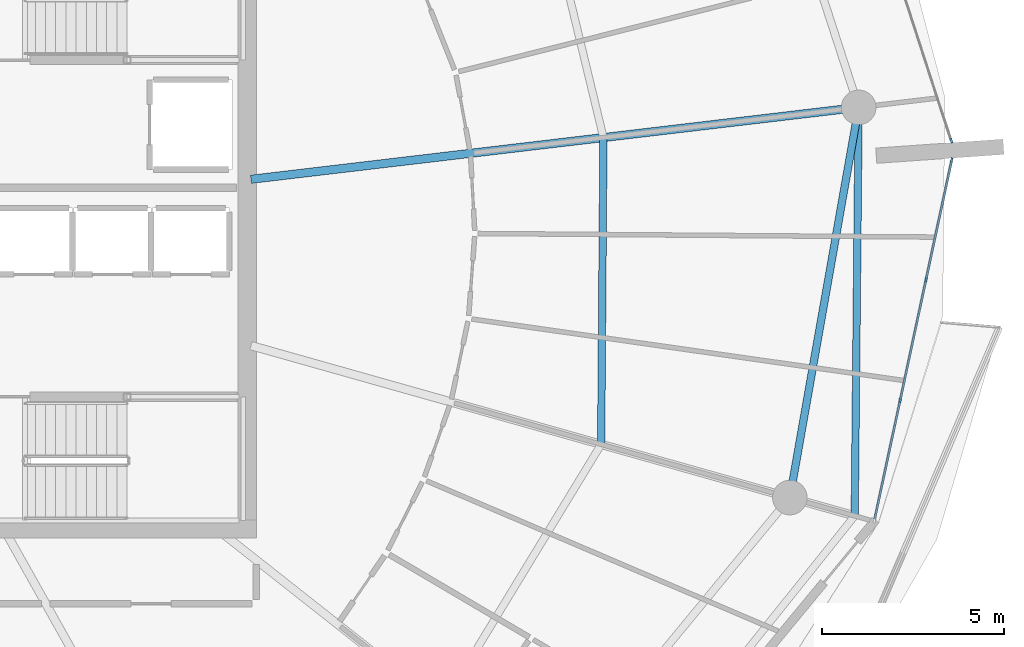
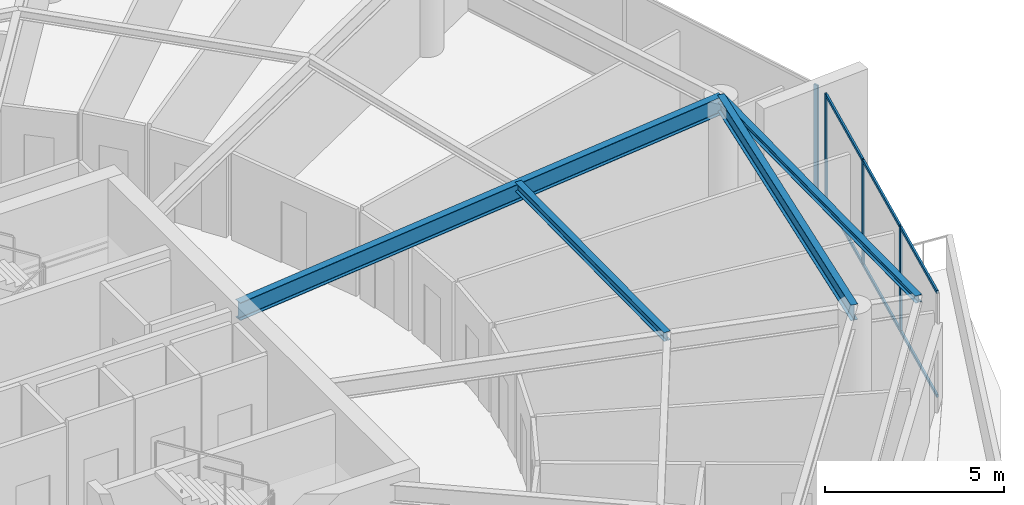
# One storey, part 11 of 30: 10 members, 4 beams, 2 elements without a shape of their own.
"""IFC4 building model written with IfcOpenShell, lengths in metres."""

from ifc_helpers import new_model, si_unit, direction, frame, origin, origin_2d, place, context, subcontext, project, spatial, rectangle, i_section, extrude, material, layer, layer_set, material_profile, profile_set, type_object, element, aggregate, save


model = new_model("IFC4")

# Units and contexts
model_context = context("Model", 3, precision=1e-05, world=origin(), true_north=direction((0.0, 1.0)))
body_context = subcontext(model_context, "Body", "Model", "MODEL_VIEW")
ifc_project = project(units=[si_unit("LENGTHUNIT", "METRE"), si_unit("AREAUNIT", "SQUARE_METRE"), si_unit("VOLUMEUNIT", "CUBIC_METRE"), si_unit("PLANEANGLEUNIT", "RADIAN"), si_unit("MASSUNIT", "GRAM", prefix="KILO")], contexts=[model_context])

# Site, building, storey
site_placement = place(None, origin())
site = spatial("IfcSite", under=ifc_project, at=site_placement, CompositionType="ELEMENT")
building_placement = place(site_placement, origin())
building = spatial("IfcBuilding", under=site, at=building_placement, Name="Kazma Halo Residences", CompositionType="ELEMENT")
storey_placement = place(building_placement, frame((0.0, 0.0, 290.60009765625)))
storey = spatial("IfcBuildingStorey", under=building, at=storey_placement, Name="L73", CompositionType="ELEMENT", Elevation=290.60009765625)

# Beams
ifc_material_1 = material(Name="Steel S355", Category="steel")
ifc_material_profile_1 = material_profile(ifc_material_1, i_section(OverallWidth=0.201904296875, OverallDepth=0.2470703125, WebThickness=0.00732421875, FlangeThickness=0.010986328125, FilletRadius=0.011962890625, at=origin_2d()), Name="W250x49.1")
ifc_profile_set_1 = profile_set([ifc_material_profile_1], Name="Steel S355")
beam_type_1 = type_object("IfcBeamType", Name="BM-BAL-CANT", PredefinedType="BEAM", material=ifc_profile_set_1)
beam_1_placement = place(storey_placement, frame((75.971435546875, 34.111083984375, 3.46630859375), z_axis=(0.009645503464, 0.999953481049, 0.0), x_axis=(-0.999953481049, 0.009645503464, 0.0)))
element("IfcBeam", 1, at=beam_1_placement, inside=storey, type_object=beam_type_1, Name="L73 wave-balcony tie beam 15", PredefinedType="BEAM", context=body_context, shape_type="SweptSolid", body=[
    extrude(i_section(OverallWidth=0.201904296875, OverallDepth=0.2470703125, WebThickness=0.00732421875, FlangeThickness=0.010986328125, FilletRadius=0.011962890625, at=origin_2d()), origin(), (0.0, 0.0, 1.0), 11.212890625),
])
ifc_material_profile_2 = material_profile(ifc_material_1, i_section(OverallWidth=0.22802734375, OverallDepth=0.60791015625, WebThickness=0.01123046875, FlangeThickness=0.017333984375, FilletRadius=0.01806640625, at=origin_2d()), Name="W610x113")
ifc_profile_set_2 = profile_set([ifc_material_profile_2], Name="Steel S355")
beam_type_2 = type_object("IfcBeamType", Name="BM-RAD-W610", PredefinedType="BEAM", material=ifc_profile_set_2)
beam_2_placement = place(storey_placement, frame((59.39990234375, 43.349365234375, 3.285888671875), z_axis=(0.993068804541, 0.117534460678, 0.0), x_axis=(-0.117534460678, 0.993068804541, 0.0)))
element("IfcBeam", 2, at=beam_2_placement, inside=storey, type_object=beam_type_2, Name="L73 radial floor beam 16", PredefinedType="BEAM", context=body_context, shape_type="SweptSolid", body=[
    extrude(i_section(OverallWidth=0.22802734375, OverallDepth=0.60791015625, WebThickness=0.01123046875, FlangeThickness=0.017333984375, FilletRadius=0.01806640625, at=origin_2d()), origin(), (0.0, 0.0, 1.0), 16.796142578125),
])
ifc_material_profile_3 = material_profile(ifc_material_1, i_section(OverallWidth=0.202880859375, OverallDepth=0.302978515625, WebThickness=0.007568359375, FlangeThickness=0.01318359375, FilletRadius=0.013916015625, at=origin_2d()), Name="W310x60")
ifc_profile_set_3 = profile_set([ifc_material_profile_3], Name="Steel S355")
beam_type_3 = type_object("IfcBeamType", Name="BM-SEC-W310A", PredefinedType="JOIST", material=ifc_profile_set_3)
beam_3_placement = place(storey_placement, frame((69.011474609375, 36.07421875, 3.4384765625), z_axis=(0.007451444375, 0.999972237603, 0.0), x_axis=(-0.999972237603, 0.007451444375, 0.0)))
element("IfcBeam", 3, at=beam_3_placement, inside=storey, type_object=beam_type_3, Name="L73 circumferential floor joist 15", PredefinedType="JOIST", context=body_context, shape_type="SweptSolid", body=[
    extrude(i_section(OverallWidth=0.202880859375, OverallDepth=0.302978515625, WebThickness=0.007568359375, FlangeThickness=0.01318359375, FilletRadius=0.013916015625, at=origin_2d()), origin(), (0.0, 0.0, 1.0), 8.42041015625),
])
ifc_material_profile_4 = material_profile(ifc_material_1, i_section(OverallWidth=0.208984375, OverallDepth=0.532958984375, WebThickness=0.01025390625, FlangeThickness=0.015625, FilletRadius=0.01611328125, at=origin_2d()), Name="W530x92")
ifc_profile_set_4 = profile_set([ifc_material_profile_4], Name="Steel S355")
beam_type_4 = type_object("IfcBeamType", Name="BM-SPN-W530", PredefinedType="BEAM", material=ifc_profile_set_4)
beam_4_placement = place(storey_placement, frame((74.19091796875, 34.61328125, 3.323486328125), z_axis=(0.173663672311, 0.984805020763, 0.0), x_axis=(-0.984805020763, 0.173663672311, 0.0)))
element("IfcBeam", 4, at=beam_4_placement, inside=storey, type_object=beam_type_4, Name="L73 perimeter ring beam 15", PredefinedType="BEAM", context=body_context, shape_type="SweptSolid", body=[
    extrude(i_section(OverallWidth=0.208984375, OverallDepth=0.532958984375, WebThickness=0.01025390625, FlangeThickness=0.015625, FilletRadius=0.01611328125, at=origin_2d()), origin(), (0.0, 0.0, 1.0), 10.87548828125),
])

# Curtain wall, members
ifc_material_2 = material(Name="Aluminium AW-6063 T6 and Triple-Silver Low-E Glass", Category="aluminium")
ifc_layer = layer(ifc_material_2, 0.139892578125)
ifc_layer_set = layer_set([ifc_layer], Name="Aluminium AW-6063 T6 and Triple-Silver Low-E Glass")
curtain_wall_type = type_object("IfcCurtainWallType", Name="CW-SYS-5", PredefinedType="NOTDEFINED", material=ifc_layer_set)
curtain_wall_1_placement = place(storey_placement, origin())
curtain_wall_1 = element("IfcCurtainWall", 5, at=curtain_wall_1_placement, inside=storey, type_object=curtain_wall_type, Name="L73 unitised curtain wall B15", PredefinedType="NOTDEFINED")
ifc_material_3 = material(Name="Aluminium AW-6063 T6", Category="aluminium")
ifc_material_profile_5 = material_profile(ifc_material_3, rectangle(XDim=0.06005859375, YDim=0.139892578125, at=origin_2d()), Name="CWM-60x140")
ifc_profile_set_5 = profile_set([ifc_material_profile_5], Name="Aluminium AW-6063 T6")
member_type_1 = type_object("IfcMemberType", Name="CW-SYS-5-MUL", PredefinedType="MULLION", material=ifc_profile_set_5)
member_1_placement = place(storey_placement, frame((77.218994140625, 37.2734375, 0.0), z_axis=(0.0, 0.0, 1.0), x_axis=(-0.97777491373, 0.209657382603, 0.0)))
member_1 = element("IfcMember", 6, at=member_1_placement, type_object=member_type_1, Name="CWS-5 mullion 2", PredefinedType="MULLION", context=body_context, shape_type="SweptSolid", body=[
    extrude(rectangle(XDim=0.06005859375, YDim=0.139892578125, at=origin_2d()), origin(), (0.0, 0.0, 1.0), 3.58984375),
])
member_2_placement = place(storey_placement, frame((77.9296875, 40.587158203125, 0.0), z_axis=(0.0, 0.0, 1.0), x_axis=(-0.97777491373, 0.209657382603, 0.0)))
member_2 = element("IfcMember", 7, at=member_2_placement, type_object=member_type_1, Name="CWS-5 mullion 3", PredefinedType="MULLION", context=body_context, shape_type="SweptSolid", body=[
    extrude(rectangle(XDim=0.06005859375, YDim=0.139892578125, at=origin_2d()), origin(), (0.0, 0.0, 1.0), 3.58984375),
])
member_3_placement = place(storey_placement, frame((78.6337890625, 43.87158203125, 0.0), z_axis=(0.0, 0.0, 1.0), x_axis=(-0.97777491373, 0.209657382603, 0.0)))
member_3 = element("IfcMember", 8, at=member_3_placement, type_object=member_type_1, Name="CWS-5 mullion 4", PredefinedType="MULLION", context=body_context, shape_type="SweptSolid", body=[
    extrude(rectangle(XDim=0.06005859375, YDim=0.139892578125, at=origin_2d()), origin(), (0.0, 0.0, 1.0), 3.58984375),
])

# Curtain wall, member
curtain_wall_2_placement = place(storey_placement, origin())
curtain_wall_2 = element("IfcCurtainWall", 9, at=curtain_wall_2_placement, inside=storey, type_object=curtain_wall_type, Name="L73 unitised curtain wall B16", PredefinedType="NOTDEFINED")
member_4_placement = place(storey_placement, frame((78.622802734375, 44.412353515625, 0.0), z_axis=(0.0, 0.0, 1.0), x_axis=(-0.951058464359, -0.309010998786, 0.0)))
member_4 = element("IfcMember", 10, at=member_4_placement, type_object=member_type_1, Name="CWS-5 mullion 1", PredefinedType="MULLION", context=body_context, shape_type="SweptSolid", body=[
    extrude(rectangle(XDim=0.06005859375, YDim=0.139892578125, at=origin_2d()), origin(), (0.0, 0.0, 1.0), 3.58984375),
])
aggregate(curtain_wall_2, [member_4])

# Member
ifc_material_profile_6 = material_profile(ifc_material_3, rectangle(XDim=0.06005859375, YDim=0.10498046875, at=origin_2d()), Name="CWT-60x105")
ifc_profile_set_6 = profile_set([ifc_material_profile_6], Name="Aluminium AW-6063 T6")
member_type_2 = type_object("IfcMemberType", Name="CW-SYS-5-TRN", PredefinedType="USERDEFINED", material=ifc_profile_set_6)
member_5_placement = place(storey_placement, frame((76.52099609375, 34.0185546875, 0.02978515625), z_axis=(0.209660493552, 0.977774246666, 0.0), x_axis=(-0.977774246666, 0.209660493552, 0.0)))
member_5 = element("IfcMember", 11, at=member_5_placement, type_object=member_type_2, Name="CWS-5 transom 1.1", ObjectType="TRANSOM", PredefinedType="USERDEFINED", context=body_context, shape_type="SweptSolid", body=[
    extrude(rectangle(XDim=0.06005859375, YDim=0.10498046875, at=origin_2d()), origin(), (0.0, 0.0, 1.0), 3.298828125),
])

member_6_placement = place(storey_placement, frame((76.52099609375, 34.0185546875, 3.559814453125), z_axis=(0.209660493552, 0.977774246666, 0.0), x_axis=(-0.977774246666, 0.209660493552, 0.0)))
member_6 = element("IfcMember", 12, at=member_6_placement, type_object=member_type_2, Name="CWS-5 transom 1.2", ObjectType="TRANSOM", PredefinedType="USERDEFINED", context=body_context, shape_type="SweptSolid", body=[
    extrude(rectangle(XDim=0.06005859375, YDim=0.10498046875, at=origin_2d()), origin(), (0.0, 0.0, 1.0), 3.298828125),
])

member_7_placement = place(storey_placement, frame((77.225341796875, 37.302734375, 0.02978515625), z_axis=(0.209664309019, 0.977773428522, 0.0), x_axis=(-0.977773428522, 0.209664309019, 0.0)))
member_7 = element("IfcMember", 13, at=member_7_placement, type_object=member_type_2, Name="CWS-5 transom 2.1", ObjectType="TRANSOM", PredefinedType="USERDEFINED", context=body_context, shape_type="SweptSolid", body=[
    extrude(rectangle(XDim=0.06005859375, YDim=0.10498046875, at=origin_2d()), origin(), (0.0, 0.0, 1.0), 3.3291015625),
])

member_8_placement = place(storey_placement, frame((77.225341796875, 37.302734375, 3.559814453125), z_axis=(0.209664309019, 0.977773428522, 0.0), x_axis=(-0.977773428522, 0.209664309019, 0.0)))
member_8 = element("IfcMember", 14, at=member_8_placement, type_object=member_type_2, Name="CWS-5 transom 2.2", ObjectType="TRANSOM", PredefinedType="USERDEFINED", context=body_context, shape_type="SweptSolid", body=[
    extrude(rectangle(XDim=0.06005859375, YDim=0.10498046875, at=origin_2d()), origin(), (0.0, 0.0, 1.0), 3.3291015625),
])

member_9_placement = place(storey_placement, frame((77.935791015625, 40.616455078125, 0.02978515625), z_axis=(0.209645323239, 0.977777499457, 0.0), x_axis=(-0.977777499457, 0.209645323239, 0.0)))
member_9 = element("IfcMember", 15, at=member_9_placement, type_object=member_type_2, Name="CWS-5 transom 3.1", ObjectType="TRANSOM", PredefinedType="USERDEFINED", context=body_context, shape_type="SweptSolid", body=[
    extrude(rectangle(XDim=0.06005859375, YDim=0.10498046875, at=origin_2d()), origin(), (0.0, 0.0, 1.0), 3.299072265625),
])

member_10_placement = place(storey_placement, frame((77.935791015625, 40.616455078125, 3.559814453125), z_axis=(0.209645323239, 0.977777499457, 0.0), x_axis=(-0.977777499457, 0.209645323239, 0.0)))
member_10 = element("IfcMember", 16, at=member_10_placement, type_object=member_type_2, Name="CWS-5 transom 3.2", ObjectType="TRANSOM", PredefinedType="USERDEFINED", context=body_context, shape_type="SweptSolid", body=[
    extrude(rectangle(XDim=0.06005859375, YDim=0.10498046875, at=origin_2d()), origin(), (0.0, 0.0, 1.0), 3.299072265625),
])

aggregate(curtain_wall_1, [member_1, member_2, member_3, member_5, member_6, member_7, member_8, member_9, member_10])

save(model, "model.ifc")
